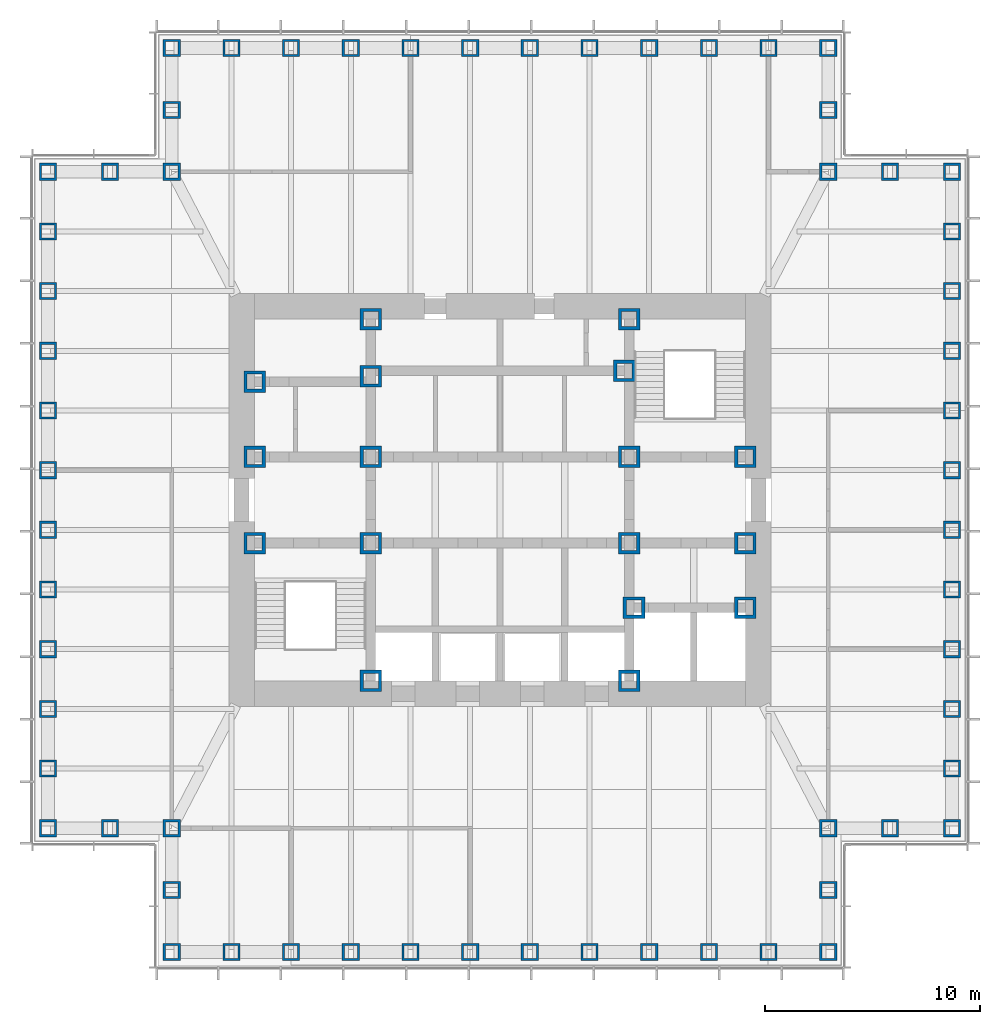
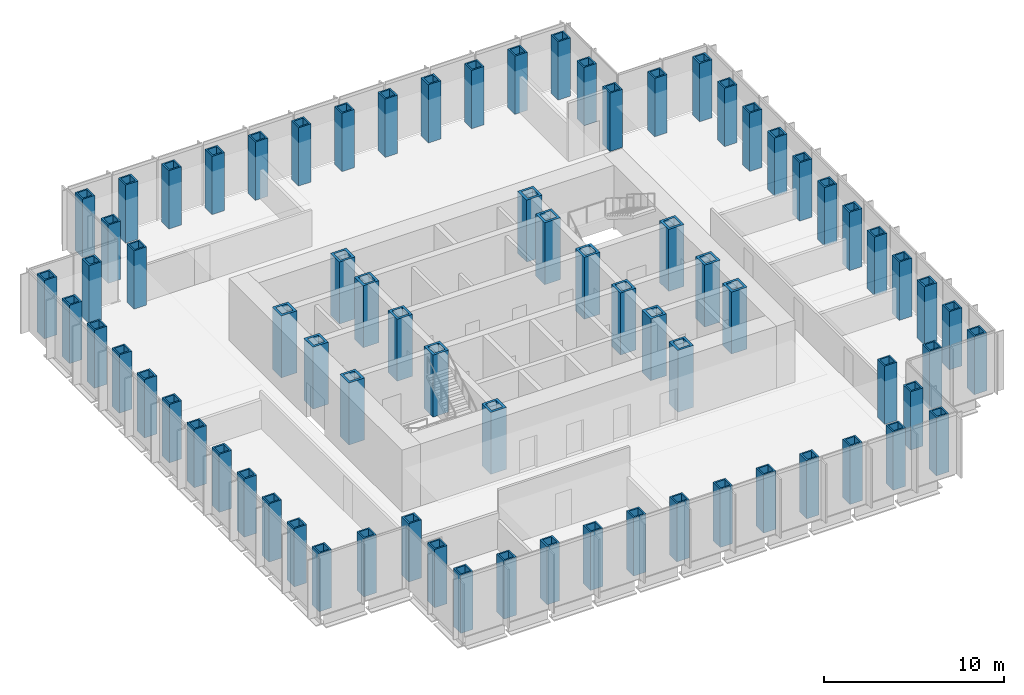
# One storey, part 1 of 16: 77 columns.
"""IFC4 building model written with IfcOpenShell, lengths in metres."""

from ifc_helpers import new_model, si_unit, direction, frame, origin, origin_2d, place, context, subcontext, project, spatial, hollow_rectangle, extrude, material, material_profile, profile_set, type_object, element, save


model = new_model("IFC4")

# Units and contexts
model_context = context("Model", 3, precision=1e-05, world=origin(), true_north=direction((0.0, 1.0)))
body_context = subcontext(model_context, "Body", "Model", "MODEL_VIEW")
ifc_project = project(units=[si_unit("LENGTHUNIT", "METRE"), si_unit("AREAUNIT", "SQUARE_METRE"), si_unit("VOLUMEUNIT", "CUBIC_METRE"), si_unit("PLANEANGLEUNIT", "RADIAN"), si_unit("MASSUNIT", "GRAM", prefix="KILO")], contexts=[model_context])

# Site, building, storey
site_placement = place(None, origin())
site = spatial("IfcSite", under=ifc_project, at=site_placement, CompositionType="ELEMENT")
building_placement = place(site_placement, origin())
building = spatial("IfcBuilding", under=site, at=building_placement, Name="Daluyong Arena Tower", CompositionType="ELEMENT")
storey_placement = place(building_placement, frame((0.0, 0.0, 275.5)))
storey = spatial("IfcBuildingStorey", under=building, at=storey_placement, Name="L62", CompositionType="ELEMENT", Elevation=275.5)

# Columns
ifc_material_1 = material(Name="Steel ASTM A588 Grade 50", Category="steel")
ifc_material_profile_1 = material_profile(ifc_material_1, hollow_rectangle(XDim=1.0, YDim=1.0, WallThickness=0.15, at=origin_2d()))
ifc_profile_set_1 = profile_set([ifc_material_profile_1], Name="Steel ASTM A588 Grade 50")
column_type_1 = type_object("IfcColumnType", Name="Core boundary column BX1000X150", PredefinedType="COLUMN", material=ifc_profile_set_1)
for number, where, z_axis, x_axis, name in (
    (1, (44.60009765625, 78.0, 0.0), (0.0, 0.0, 1.0), (1.0, 0.0, 0.0), "core boundary column BC1"),
    (2, (44.60009765625, 82.0, 0.0), (0.0, 0.0, 1.0), (1.0, 0.0, 0.0), "core boundary column BC1"),
    (3, (44.60009765625, 85.5, 0.0), (0.0, 0.0, 1.0), (1.0, 0.0, 0.0), "core boundary column BC1"),
    (4, (50.0, 71.60009765625, 0.0), (0.0, 0.0, 1.0), (1.0, 0.0, 0.0), "core boundary column BC1"),
    (5, (50.0, 78.0, 0.0), (0.0, 0.0, 1.0), (1.0, 0.0, 0.0), "core boundary column BC1"),
    (6, (50.0, 82.0, 0.0), (0.0, 0.0, 1.0), (1.0, 0.0, 0.0), "core boundary column BC1"),
    (7, (50.0, 85.75, 0.0), (0.0, 0.0, 1.0), (1.0, 0.0, 0.0), "core boundary column BC1"),
    (8, (50.0, 88.39990234375, 0.0), (0.0, 0.0, 1.0), (1.0, 0.0, 0.0), "core boundary column BC1"),
    (9, (61.77490234375, 86.0, 0.0), (0.0, 0.0, 1.0), (1.0, 0.0, 0.0), "core boundary column BC1"),
    (10, (62.0, 71.60009765625, 0.0), (0.0, 0.0, 1.0), (1.0, 0.0, 0.0), "core boundary column BC1"),
    (11, (62.0, 78.0, 0.0), (0.0, 0.0, 1.0), (1.0, 0.0, 0.0), "core boundary column BC1"),
    (12, (62.0, 82.0, 0.0), (0.0, 0.0, 1.0), (1.0, 0.0, 0.0), "core boundary column BC1"),
    (13, (62.0, 88.39990234375, 0.0), (0.0, 0.0, 1.0), (1.0, 0.0, 0.0), "core boundary column BC1"),
    (14, (62.22509765625, 75.0, 0.0), (0.0, 0.0, 1.0), (1.0, 0.0, 0.0), "core boundary column BC1"),
    (15, (67.39990234375, 75.0, 0.0), (0.0, 0.0, 1.0), (1.0, 0.0, 0.0), "core boundary column BC1"),
    (16, (67.39990234375, 78.0, 0.0), (0.0, 0.0, 1.0), (1.0, 0.0, 0.0), "core boundary column BC1"),
    (17, (67.39990234375, 82.0, 0.0), (0.0, 0.0, 1.0), (1.0, 0.0, 0.0), "core boundary column BC1"),
):
    element("IfcColumn", number, at=place(storey_placement, frame(where, z_axis=z_axis, x_axis=x_axis)), inside=storey, type_object=column_type_1, Name=name, PredefinedType="COLUMN", context=body_context, shape_type="SweptSolid", body=[
        extrude(hollow_rectangle(XDim=1.0, YDim=1.0, WallThickness=0.15, at=origin_2d()), origin(), (0.0, 0.0, 1.0), 4.199951171875),
    ])
ifc_material_2 = material(Name="Steel ASTM A572 Grade 50", Category="steel")
ifc_material_profile_2 = material_profile(ifc_material_2, hollow_rectangle(XDim=0.800048828125, YDim=0.800048828125, WallThickness=0.1, at=origin_2d()))
ifc_profile_set_2 = profile_set([ifc_material_profile_2], Name="Steel ASTM A572 Grade 50")
column_type_2 = type_object("IfcColumnType", Name="Tube column BX800X100 BX800X100", PredefinedType="COLUMN", material=ifc_profile_set_2)
for number, where, z_axis, x_axis, name in (
    (18, (40.75, 59.0, 0.0), (0.0, 0.0, 1.0), (1.0, 0.0, 0.0), "tube column bx800x100 TC8"),
    (19, (43.522705078125, 59.0, 0.0), (0.0, 0.0, 1.0), (1.0, 0.0, 0.0), "tube column bx800x100 TC8"),
    (20, (46.29541015625, 59.0, 0.0), (0.0, 0.0, 1.0), (1.0, 0.0, 0.0), "tube column bx800x100 TC8"),
    (21, (49.068115234375, 59.0, 0.0), (0.0, 0.0, 1.0), (1.0, 0.0, 0.0), "tube column bx800x100 TC8"),
    (22, (51.8408203125, 59.0, 0.0), (0.0, 0.0, 1.0), (1.0, 0.0, 0.0), "tube column bx800x100 TC8"),
    (23, (54.613525390625, 59.0, 0.0), (0.0, 0.0, 1.0), (1.0, 0.0, 0.0), "tube column bx800x100 TC8"),
    (24, (57.386474609375, 59.0, 0.0), (0.0, 0.0, 1.0), (1.0, 0.0, 0.0), "tube column bx800x100 TC8"),
    (25, (60.1591796875, 59.0, 0.0), (0.0, 0.0, 1.0), (1.0, 0.0, 0.0), "tube column bx800x100 TC8"),
    (26, (62.931884765625, 59.0, 0.0), (0.0, 0.0, 1.0), (1.0, 0.0, 0.0), "tube column bx800x100 TC8"),
    (27, (65.70458984375, 59.0, 0.0), (0.0, 0.0, 1.0), (1.0, 0.0, 0.0), "tube column bx800x100 TC8"),
    (28, (68.477294921875, 59.0, 0.0), (0.0, 0.0, 1.0), (1.0, 0.0, 0.0), "tube column bx800x100 TC8"),
    (29, (71.25, 59.0, 0.0), (0.0, 0.0, 1.0), (0.0, 1.0, 0.0), "tube column bx800x100 TC8"),
    (30, (71.25, 61.875, 0.0), (0.0, 0.0, 1.0), (0.0, 1.0, 0.0), "tube column bx800x100 TC8"),
    (31, (71.25, 64.75, 0.0), (0.0, 0.0, 1.0), (1.0, 0.0, 0.0), "tube column bx800x100 TC8"),
    (32, (74.125, 64.75, 0.0), (0.0, 0.0, 1.0), (1.0, 0.0, 0.0), "tube column bx800x100 TC8"),
    (33, (77.0, 64.75, 0.0), (0.0, 0.0, 1.0), (0.0, 1.0, 0.0), "tube column bx800x100 TC8"),
    (34, (77.0, 67.522705078125, 0.0), (0.0, 0.0, 1.0), (0.0, 1.0, 0.0), "tube column bx800x100 TC8"),
    (35, (77.0, 70.29541015625, 0.0), (0.0, 0.0, 1.0), (0.0, 1.0, 0.0), "tube column bx800x100 TC8"),
    (36, (77.0, 73.068115234375, 0.0), (0.0, 0.0, 1.0), (0.0, 1.0, 0.0), "tube column bx800x100 TC8"),
    (37, (77.0, 75.8408203125, 0.0), (0.0, 0.0, 1.0), (0.0, 1.0, 0.0), "tube column bx800x100 TC8"),
    (38, (77.0, 78.613525390625, 0.0), (0.0, 0.0, 1.0), (0.0, 1.0, 0.0), "tube column bx800x100 TC8"),
    (39, (77.0, 81.386474609375, 0.0), (0.0, 0.0, 1.0), (0.0, 1.0, 0.0), "tube column bx800x100 TC8"),
    (40, (77.0, 84.1591796875, 0.0), (0.0, 0.0, 1.0), (0.0, 1.0, 0.0), "tube column bx800x100 TC8"),
    (41, (77.0, 86.931884765625, 0.0), (0.0, 0.0, 1.0), (0.0, 1.0, 0.0), "tube column bx800x100 TC8"),
    (42, (77.0, 89.70458984375, 0.0), (0.0, 0.0, 1.0), (0.0, 1.0, 0.0), "tube column bx800x100 TC8"),
    (43, (77.0, 92.477294921875, 0.0), (0.0, 0.0, 1.0), (0.0, 1.0, 0.0), "tube column bx800x100 TC8"),
    (44, (77.0, 95.25, 0.0), (0.0, 0.0, 1.0), (1.0, 0.0, 0.0), "tube column bx800x100 TC8"),
    (45, (74.125, 95.25, 0.0), (0.0, 0.0, 1.0), (1.0, 0.0, 0.0), "tube column bx800x100 TC8"),
    (46, (71.25, 95.25, 0.0), (0.0, 0.0, 1.0), (0.0, 1.0, 0.0), "tube column bx800x100 TC8"),
    (47, (71.25, 98.125, 0.0), (0.0, 0.0, 1.0), (0.0, 1.0, 0.0), "tube column bx800x100 TC8"),
    (48, (71.25, 101.0, 0.0), (0.0, 0.0, 1.0), (1.0, 0.0, 0.0), "tube column bx800x100 TC8"),
    (49, (68.477294921875, 101.0, 0.0), (0.0, 0.0, 1.0), (1.0, 0.0, 0.0), "tube column bx800x100 TC8"),
    (50, (65.70458984375, 101.0, 0.0), (0.0, 0.0, 1.0), (1.0, 0.0, 0.0), "tube column bx800x100 TC8"),
    (51, (62.931884765625, 101.0, 0.0), (0.0, 0.0, 1.0), (1.0, 0.0, 0.0), "tube column bx800x100 TC8"),
    (52, (60.1591796875, 101.0, 0.0), (0.0, 0.0, 1.0), (1.0, 0.0, 0.0), "tube column bx800x100 TC8"),
    (53, (57.386474609375, 101.0, 0.0), (0.0, 0.0, 1.0), (1.0, 0.0, 0.0), "tube column bx800x100 TC8"),
    (54, (54.613525390625, 101.0, 0.0), (0.0, 0.0, 1.0), (1.0, 0.0, 0.0), "tube column bx800x100 TC8"),
    (55, (51.8408203125, 101.0, 0.0), (0.0, 0.0, 1.0), (1.0, 0.0, 0.0), "tube column bx800x100 TC8"),
    (56, (49.068115234375, 101.0, 0.0), (0.0, 0.0, 1.0), (1.0, 0.0, 0.0), "tube column bx800x100 TC8"),
    (57, (46.29541015625, 101.0, 0.0), (0.0, 0.0, 1.0), (1.0, 0.0, 0.0), "tube column bx800x100 TC8"),
    (58, (43.522705078125, 101.0, 0.0), (0.0, 0.0, 1.0), (1.0, 0.0, 0.0), "tube column bx800x100 TC8"),
    (59, (40.75, 101.0, 0.0), (0.0, 0.0, 1.0), (0.0, 1.0, 0.0), "tube column bx800x100 TC8"),
    (60, (40.75, 98.125, 0.0), (0.0, 0.0, 1.0), (0.0, 1.0, 0.0), "tube column bx800x100 TC8"),
    (61, (40.75, 95.25, 0.0), (0.0, 0.0, 1.0), (1.0, 0.0, 0.0), "tube column bx800x100 TC8"),
    (62, (37.875, 95.25, 0.0), (0.0, 0.0, 1.0), (1.0, 0.0, 0.0), "tube column bx800x100 TC8"),
    (63, (35.0, 95.25, 0.0), (0.0, 0.0, 1.0), (0.0, 1.0, 0.0), "tube column bx800x100 TC8"),
    (64, (35.0, 92.477294921875, 0.0), (0.0, 0.0, 1.0), (0.0, 1.0, 0.0), "tube column bx800x100 TC8"),
    (65, (35.0, 89.70458984375, 0.0), (0.0, 0.0, 1.0), (0.0, 1.0, 0.0), "tube column bx800x100 TC8"),
    (66, (35.0, 86.931884765625, 0.0), (0.0, 0.0, 1.0), (0.0, 1.0, 0.0), "tube column bx800x100 TC8"),
    (67, (35.0, 84.1591796875, 0.0), (0.0, 0.0, 1.0), (0.0, 1.0, 0.0), "tube column bx800x100 TC8"),
    (68, (35.0, 81.386474609375, 0.0), (0.0, 0.0, 1.0), (0.0, 1.0, 0.0), "tube column bx800x100 TC8"),
    (69, (35.0, 78.613525390625, 0.0), (0.0, 0.0, 1.0), (0.0, 1.0, 0.0), "tube column bx800x100 TC8"),
    (70, (35.0, 75.8408203125, 0.0), (0.0, 0.0, 1.0), (0.0, 1.0, 0.0), "tube column bx800x100 TC8"),
    (71, (35.0, 73.068115234375, 0.0), (0.0, 0.0, 1.0), (0.0, 1.0, 0.0), "tube column bx800x100 TC8"),
    (72, (35.0, 70.29541015625, 0.0), (0.0, 0.0, 1.0), (0.0, 1.0, 0.0), "tube column bx800x100 TC8"),
    (73, (35.0, 67.522705078125, 0.0), (0.0, 0.0, 1.0), (0.0, 1.0, 0.0), "tube column bx800x100 TC8"),
    (74, (35.0, 64.75, 0.0), (0.0, 0.0, 1.0), (1.0, 0.0, 0.0), "tube column bx800x100 TC8"),
    (75, (37.875, 64.75, 0.0), (0.0, 0.0, 1.0), (1.0, 0.0, 0.0), "tube column bx800x100 TC8"),
    (76, (40.75, 64.75, 0.0), (0.0, 0.0, 1.0), (0.0, 1.0, 0.0), "tube column bx800x100 TC8"),
    (77, (40.75, 61.875, 0.0), (0.0, 0.0, 1.0), (0.0, 1.0, 0.0), "tube column bx800x100 TC8"),
):
    element("IfcColumn", number, at=place(storey_placement, frame(where, z_axis=z_axis, x_axis=x_axis)), inside=storey, type_object=column_type_2, Name=name, PredefinedType="COLUMN", context=body_context, shape_type="SweptSolid", body=[
        extrude(hollow_rectangle(XDim=0.800048828125, YDim=0.800048828125, WallThickness=0.1, at=origin_2d()), origin(), (0.0, 0.0, 1.0), 3.949951171875),
    ])

save(model, "model.ifc")
